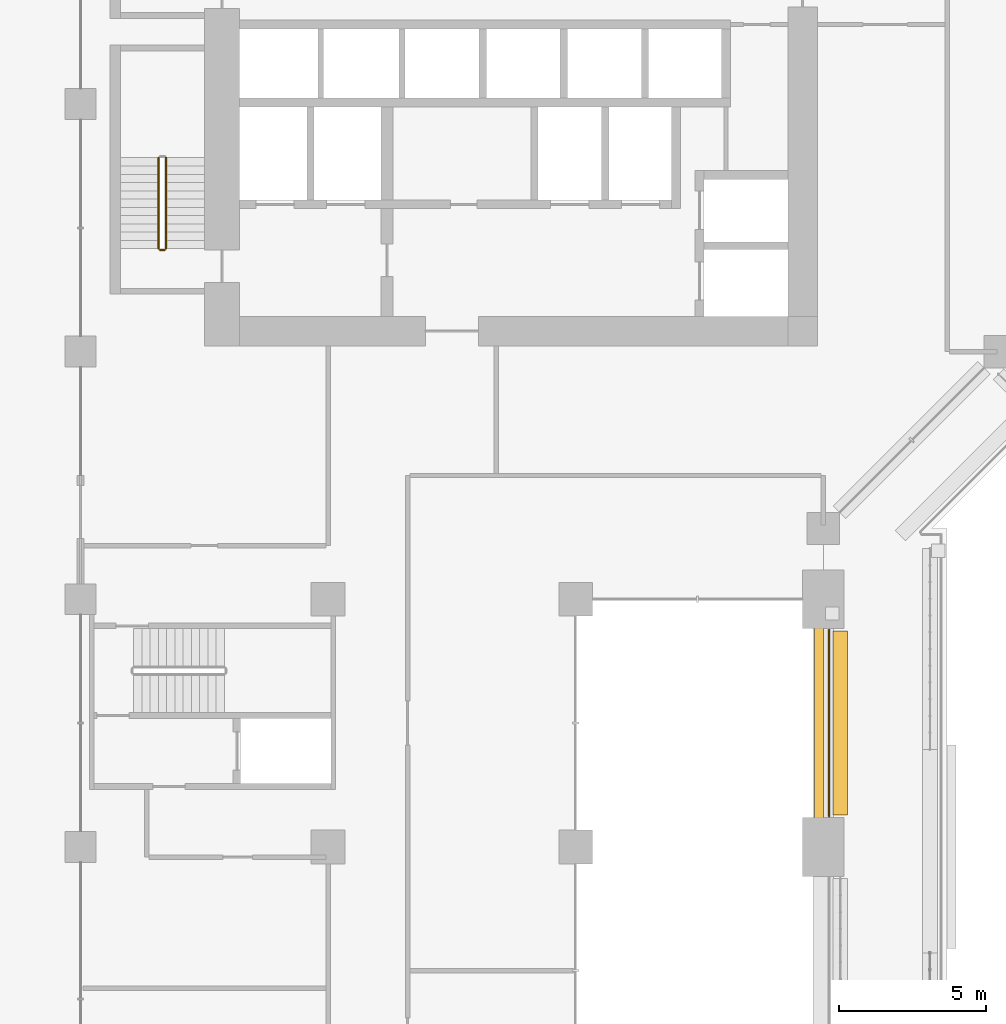
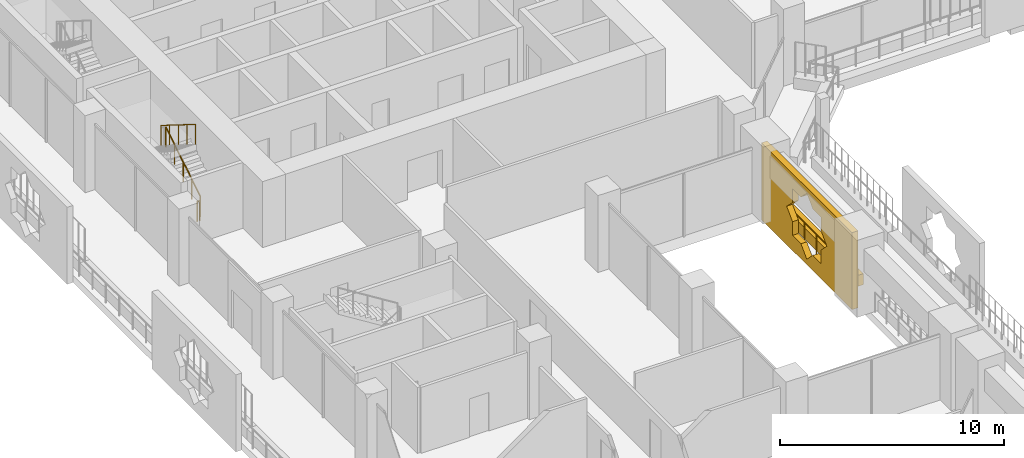
# One storey, part 21 of 27: 4 railings, 2 coverings.
"""IFC4 building model written with IfcOpenShell, lengths in metres."""

import ifcopenshell
import ifcopenshell.guid

model = None  # the IFC model being written
_history = None  # IfcOwnerHistory: only IFC2X3 demands one
_inside = {}  # id of a spatial element -> (the spatial element, [elements in it])
_under = {}  # id of a project, library or spatial element -> (it, [spatial elements below it])
_declared = {}  # id of a project -> (the project, [libraries it declares])
_typed = {}  # id of a type object -> (the type object, [elements of that type])
_made_of = {}  # id of a material, layer set ... -> (it, [elements and type objects made of it])


def new_model(schema):
    """Start an empty IFC model of exactly this schema.

    Asked for "IFC4X3", IfcOpenShell would pick the latest addendum, in which some entities
    have other attributes; the version numbers below select the first issue.
    IFC2X3 requires an IfcOwnerHistory on every rooted entity: one is made here for all.
    """
    global model, _history
    if schema == "IFC4X3":
        model = ifcopenshell.file(schema_version=(4, 3, 0, 0))
    else:
        model = ifcopenshell.file(schema=schema)
    _inside.clear()
    _under.clear()
    _declared.clear()
    _typed.clear()
    _made_of.clear()
    _history = None
    if model.schema == "IFC2X3":
        org = make("IfcOrganization", Name="unknown")
        user = make(
            "IfcPersonAndOrganization",
            ThePerson=make("IfcPerson", FamilyName="unknown"),
            TheOrganization=org,
        )
        app = make(
            "IfcApplication",
            ApplicationDeveloper=org,
            Version="unknown",
            ApplicationFullName="unknown",
            ApplicationIdentifier="unknown",
        )
        _history = make(
            "IfcOwnerHistory",
            OwningUser=user,
            OwningApplication=app,
            ChangeAction="ADDED",
            CreationDate=0,
        )
    return model


def make(cls, **values):
    """One entity of the class cls with the attributes given. An attribute that is None is left unset."""
    return model.create_entity(
        cls, **{name: value for name, value in values.items() if value is not None}
    )


def rooted(cls, **values):
    """An entity with a GlobalId (a new one), such as an element, a storey or a relation."""
    return make(cls, GlobalId=ifcopenshell.guid.new(), OwnerHistory=_history, **values)


def si_unit(unit_type, name, prefix=None):
    """IfcSIUnit, for example si_unit("LENGTHUNIT", "METRE", prefix="MILLI")."""
    return make("IfcSIUnit", UnitType=unit_type, Prefix=prefix, Name=name)


def assignment(units):
    """IfcUnitAssignment: the units of a project."""
    return None if units is None else make("IfcUnitAssignment", Units=units)


def point(xyz):
    """IfcCartesianPoint."""
    return None if xyz is None else make("IfcCartesianPoint", Coordinates=xyz)


def direction(xyz):
    """IfcDirection."""
    return None if xyz is None else make("IfcDirection", DirectionRatios=xyz)


def frame(location, z_axis=None, x_axis=None):
    """IfcAxis2Placement3D, a coordinate frame: its origin and axes. An axis left out is left unset."""
    return make(
        "IfcAxis2Placement3D",
        Location=point(location),
        Axis=direction(z_axis),
        RefDirection=direction(x_axis),
    )


def frame_2d(location, x_axis=None):
    """IfcAxis2Placement2D, a coordinate frame in the plane: its origin and x axis."""
    return make(
        "IfcAxis2Placement2D", Location=point(location), RefDirection=direction(x_axis)
    )


def origin():
    """The frame at (0, 0, 0) with its axes left unset."""
    return frame((0.0, 0.0, 0.0))


def origin_2d():
    """The frame at (0, 0) in the plane with its x axis left unset."""
    return frame_2d((0.0, 0.0))


def place(relative_to, where):
    """IfcLocalPlacement: puts the frame where relative to a parent placement (None: the world)."""
    return make(
        "IfcLocalPlacement", PlacementRelTo=relative_to, RelativePlacement=where
    )


def context(
    kind, dimensions, precision=None, world=None, true_north=None, identifier=None
):
    """IfcGeometricRepresentationContext, for example the 3D "Model" context."""
    return make(
        "IfcGeometricRepresentationContext",
        ContextIdentifier=identifier,
        ContextType=kind,
        CoordinateSpaceDimension=dimensions,
        Precision=precision,
        WorldCoordinateSystem=world,
        TrueNorth=true_north,
    )


def subcontext(parent, identifier, kind, view, scale=None):
    """IfcGeometricRepresentationSubContext, for example "Body" below "Model"."""
    return make(
        "IfcGeometricRepresentationSubContext",
        ContextIdentifier=identifier,
        ContextType=kind,
        ParentContext=parent,
        TargetScale=scale,
        TargetView=view,
    )


def project(units=None, contexts=None):
    """IfcProject with its units and contexts."""
    return rooted(
        "IfcProject",
        Name="project",
        RepresentationContexts=contexts,
        UnitsInContext=assignment(units),
    )


def spatial(cls, under=None, at=None, **own):
    """A site, building, storey or space (cls), placed at a placement, below another one or the project."""
    s = rooted(cls, ObjectPlacement=at, **own)
    if under is not None:
        _under.setdefault(under.id(), (under, []))[1].append(s)
    return s


def polyline(points):
    """IfcPolyline through the points."""
    return make("IfcPolyline", Points=[point(p) for p in points])


def profile(cls, at=None, kind="AREA", **sizes):
    """A parametric profile (cls). Its sizes go by their IFC names, for example OverallWidth=200.0."""
    return make(cls, ProfileType=kind, Position=at, **sizes)


def rectangle(**sizes):
    """IfcRectangleProfileDef."""
    return profile("IfcRectangleProfileDef", **sizes)


def circle(**sizes):
    """IfcCircleProfileDef."""
    return profile("IfcCircleProfileDef", **sizes)


def outline(outer, holes=None, kind="AREA"):
    """IfcArbitraryClosedProfileDef: a profile drawn as a closed curve; with holes, ...WithVoids."""
    if holes is None:
        return make("IfcArbitraryClosedProfileDef", ProfileType=kind, OuterCurve=outer)
    return make(
        "IfcArbitraryProfileDefWithVoids",
        ProfileType=kind,
        OuterCurve=outer,
        InnerCurves=holes,
    )


def extrude(swept, where, along, depth):
    """IfcExtrudedAreaSolid: the profile swept, set in the frame where, extruded along a direction by depth."""
    return make(
        "IfcExtrudedAreaSolid",
        SweptArea=swept,
        Position=where,
        ExtrudedDirection=direction(along),
        Depth=depth,
    )


def shape(context_of_items, identifier, shape_type, items):
    """IfcShapeRepresentation: the items that make up one representation, for example the "Body"."""
    return make(
        "IfcShapeRepresentation",
        ContextOfItems=context_of_items,
        RepresentationIdentifier=identifier,
        RepresentationType=shape_type,
        Items=items,
    )


def material(Name=None, Category=None):
    """IfcMaterial."""
    return make("IfcMaterial", Name=Name, Category=Category)


def material_profile(
    of_material, cross_section, Name=None, Category=None, Priority=None
):
    """IfcMaterialProfile: a cross section and its material."""
    return make(
        "IfcMaterialProfile",
        Name=Name,
        Material=of_material,
        Profile=cross_section,
        Priority=Priority,
        Category=Category,
    )


def profile_set(profiles, Name=None, composite=None):
    """IfcMaterialProfileSet."""
    return make(
        "IfcMaterialProfileSet",
        Name=Name,
        MaterialProfiles=profiles,
        CompositeProfile=composite,
    )


def made_of(thing, what):
    """Note that an element or type object is made of a material, layer set ...; save() writes the relation."""
    if what is not None:
        _made_of.setdefault(what.id(), (what, []))[1].append(thing)
    return thing


def type_object(cls, material=None, **own):
    """A type object (cls), such as IfcWallType, which elements share."""
    return made_of(rooted(cls, **own), material)


def element(
    cls,
    number,
    at=None,
    inside=None,
    cuts=None,
    type_object=None,
    material=None,
    context=None,
    identifier="Body",
    shape_type=None,
    held_by="IfcProductDefinitionShape",
    body=None,
    shapes=None,
    **own,
):
    """One element of the class cls, such as IfcWall. Its Tag is "e" and its number.

    at: its placement. inside: the storey or other place that contains it. cuts: it is an
    opening in that element (IfcRelVoidsElement). A single representation is given by context,
    identifier, shape_type and body (its items); several are given by shapes. held_by: the class
    of the entity that holds the representations. save() writes the other relations.
    """
    e = rooted(cls, Tag="e%d" % number, ObjectPlacement=at, **own)
    if body is not None:
        shapes = [shape(context, identifier, shape_type, body)]
    if shapes is not None:
        e.Representation = make(held_by, Representations=shapes)
    if inside is not None:
        _inside.setdefault(inside.id(), (inside, []))[1].append(e)
    if cuts is not None:
        rooted(
            "IfcRelVoidsElement", RelatingBuildingElement=cuts, RelatedOpeningElement=e
        )
    if type_object is not None:
        _typed.setdefault(type_object.id(), (type_object, []))[1].append(e)
    return made_of(e, material)


def aggregate(whole, parts):
    """IfcRelAggregates: a whole, such as a stair, and the parts it consists of."""
    return rooted("IfcRelAggregates", RelatingObject=whole, RelatedObjects=parts)


def save(model, path):
    """Write the relations noted so far, then the file.

    IfcRelAggregates (storeys below a building ...), IfcRelContainedInSpatialStructure (elements
    in a storey), IfcRelDefinesByType, IfcRelAssociatesMaterial and IfcRelDeclares: one each for
    every whole, place, type object, material and project.
    """
    for whole, parts in _under.values():
        aggregate(whole, parts)
    for where, things in _inside.values():
        rooted(
            "IfcRelContainedInSpatialStructure",
            RelatedElements=things,
            RelatingStructure=where,
        )
    for kind, things in _typed.values():
        rooted("IfcRelDefinesByType", RelatedObjects=things, RelatingType=kind)
    for what, things in _made_of.values():
        rooted("IfcRelAssociatesMaterial", RelatedObjects=things, RelatingMaterial=what)
    for by, libraries in _declared.values():
        rooted("IfcRelDeclares", RelatingContext=by, RelatedDefinitions=libraries)
    model.write(path)


model = new_model("IFC4")

# Units and contexts
model_context = context("Model", 3, precision=1e-05, world=origin(), true_north=direction((0.0, 1.0)))
body_context = subcontext(model_context, "Body", "Model", "MODEL_VIEW")
ifc_project = project(units=[si_unit("LENGTHUNIT", "METRE"), si_unit("AREAUNIT", "SQUARE_METRE"), si_unit("VOLUMEUNIT", "CUBIC_METRE"), si_unit("PLANEANGLEUNIT", "RADIAN"), si_unit("MASSUNIT", "GRAM", prefix="KILO")], contexts=[model_context])

# Site, building, storey
site_placement = place(None, origin())
site = spatial("IfcSite", under=ifc_project, at=site_placement, CompositionType="ELEMENT")
building_placement = place(site_placement, origin())
building = spatial("IfcBuilding", under=site, at=building_placement, Name="Kawkab Arch Medical Tower", CompositionType="ELEMENT")
storey_placement = place(building_placement, frame((0.0, 0.0, 103.0)))
storey = spatial("IfcBuildingStorey", under=building, at=storey_placement, Name="L23", CompositionType="ELEMENT", Elevation=103.0)

# Railing
ifc_material_1 = material(Name="Bronze anodised aluminium guard", Category="aluminium")
railing_type_1 = type_object("IfcRailingType", Name="Loggia and terrace guard 1100", PredefinedType="GUARDRAIL", material=ifc_material_1)
railing_1_placement = place(storey_placement, frame((25.39990234375, -40.969970703125, 0.0)))
element("IfcRailing", 1, at=railing_1_placement, inside=storey, type_object=railing_type_1, Name="Guard L23.LOG-01.1.2", PredefinedType="GUARDRAIL", context=body_context, shape_type="SweptSolid", body=[
    extrude(circle(Radius=0.02392578125, at=origin_2d()), frame((0.0, 0.0, 1.076171875), z_axis=(0.0, 1.0, 0.0), x_axis=(-1.0, 0.0, 0.0)), (0.0, 0.0, 1.0), 6.340087890625),
    extrude(circle(Radius=0.02099609375, at=origin_2d()), origin(), (0.0, 0.0, 1.0), 1.052001953125),
    extrude(circle(Radius=0.02099609375, at=origin_2d()), frame((0.0, 1.056640625, 0.0)), (0.0, 0.0, 1.0), 1.052001953125),
    extrude(circle(Radius=0.02099609375, at=origin_2d()), frame((0.0, 2.11328125, 0.0)), (0.0, 0.0, 1.0), 1.052001953125),
    extrude(circle(Radius=0.02099609375, at=origin_2d()), frame((0.0, 3.169921875, 0.0)), (0.0, 0.0, 1.0), 1.052001953125),
    extrude(circle(Radius=0.02099609375, at=origin_2d()), frame((0.0, 4.226806640625, 0.0)), (0.0, 0.0, 1.0), 1.052001953125),
    extrude(circle(Radius=0.02099609375, at=origin_2d()), frame((0.0, 5.283447265625, 0.0)), (0.0, 0.0, 1.0), 1.052001953125),
    extrude(circle(Radius=0.02099609375, at=origin_2d()), frame((0.0, 6.340087890625, 0.0)), (0.0, 0.0, 1.0), 1.052001953125),
])

# Coverings
ifc_material_2 = material(Name="Bronze anodised aluminium mashrabiya panel, eight-point star pattern", Category="aluminium")
ifc_material_profile_1 = material_profile(ifc_material_2, outline(polyline([(-4.050048828125, -2.10009765625), (4.050048828125, -2.10009765625), (4.050048828125, 2.10009765625), (-4.050048828125, 2.10009765625), (-4.050048828125, -2.10009765625)]), holes=[polyline([(1.800048828125, 0.0), (1.272705078125, 0.527099609375), (1.272705078125, 1.272705078125), (0.527099609375, 1.272705078125), (0.0, 1.800048828125), (-0.527099609375, 1.272705078125), (-1.272705078125, 1.272705078125), (-1.272705078125, 0.527099609375), (-1.800048828125, 0.0), (-1.272705078125, -0.527099609375), (-1.272705078125, -1.272705078125), (-0.527099609375, -1.272705078125), (0.0, -1.800048828125), (0.527099609375, -1.272705078125), (1.272705078125, -1.272705078125), (1.272705078125, -0.527099609375), (1.800048828125, 0.0)])]), Name="Mashrabiya panel 8100x4200")
ifc_profile_set_1 = profile_set([ifc_material_profile_1], Name="Bronze anodised aluminium mashrabiya panel, eight-point star pattern")
covering_type_1 = type_object("IfcCoveringType", Name="Mashrabiya panel 8100 x 4200", PredefinedType="USERDEFINED", material=ifc_profile_set_1)
covering_1_placement = place(storey_placement, frame((25.199951171875, -37.81494140625, 1.699951171875), z_axis=(-1.0, 0.0, 0.0), x_axis=(0.0, -1.0, 0.0)))
element("IfcCovering", 2, at=covering_1_placement, inside=storey, type_object=covering_type_1, Name="Mashrabiya panel L23.LOG-01-01.1", ObjectType="SCREEN", PredefinedType="USERDEFINED", context=body_context, shape_type="SweptSolid", body=[
    extrude(outline(polyline([(-4.050048828125, -2.10009765625), (4.050048828125, -2.10009765625), (4.050048828125, 2.10009765625), (-4.050048828125, 2.10009765625), (-4.050048828125, -2.10009765625)]), holes=[polyline([(1.800048828125, 0.0), (1.272705078125, 0.527099609375), (1.272705078125, 1.272705078125), (0.527099609375, 1.272705078125), (0.0, 1.800048828125), (-0.527099609375, 1.272705078125), (-1.272705078125, 1.272705078125), (-1.272705078125, 0.527099609375), (-1.800048828125, 0.0), (-1.272705078125, -0.527099609375), (-1.272705078125, -1.272705078125), (-0.527099609375, -1.272705078125), (0.0, -1.800048828125), (0.527099609375, -1.272705078125), (1.272705078125, -1.272705078125), (1.272705078125, -0.527099609375), (1.800048828125, 0.0)])]), origin(), (0.0, 0.0, 1.0), 0.300048828125),
])
ifc_material_3 = material(Name="Planting soil in a precast trough", Category="concrete")
ifc_material_profile_2 = material_profile(ifc_material_3, rectangle(XDim=0.5, YDim=0.60009765625, at=origin_2d()), Name="Trough 500x600")
ifc_profile_set_2 = profile_set([ifc_material_profile_2], Name="Planting soil in a precast trough")
covering_type_2 = type_object("IfcCoveringType", Name="Planter trough 500 x 600", PredefinedType="USERDEFINED", material=ifc_profile_set_2)
covering_2_placement = place(storey_placement, frame((25.780029296875, -40.919921875, 0.300048828125), z_axis=(0.0, 1.0, 0.0), x_axis=(-1.0, 0.0, 0.0)))
element("IfcCovering", 3, at=covering_2_placement, inside=storey, type_object=covering_type_2, Name="Planter L23.LOG-01-01.2", ObjectType="PLANTER", PredefinedType="USERDEFINED", context=body_context, shape_type="SweptSolid", body=[
    extrude(rectangle(XDim=0.5, YDim=0.60009765625, at=origin_2d()), origin(), (0.0, 0.0, 1.0), 6.239990234375),
])

# Railings
ifc_material_4 = material(Name="Stainless steel", Category="steel")
railing_type_2 = type_object("IfcRailingType", Name="Stair guard 1100", PredefinedType="GUARDRAIL", material=ifc_material_4)
railing_2_placement = place(storey_placement, frame((2.89990234375, -21.699951171875, 0.175048828125)))
element("IfcRailing", 4, at=railing_2_placement, inside=storey, type_object=railing_type_2, Name="L23 ST2 stair guard 1", PredefinedType="GUARDRAIL", context=body_context, shape_type="SweptSolid", body=[
    extrude(circle(Radius=0.02392578125, at=origin_2d()), frame((0.0, 0.0, 1.076171875), z_axis=(0.0, 0.847979421464, 0.530029150871), x_axis=(-1.0, 0.0, 0.0)), (0.0, 0.0, 1.0), 3.632080078125),
    extrude(circle(Radius=0.02099609375, at=origin_2d()), origin(), (0.0, 0.0, 1.0), 1.052001953125),
    extrude(circle(Radius=0.02099609375, at=origin_2d()), frame((0.0, 0.77001953125, 0.481201171875)), (0.0, 0.0, 1.0), 1.052001953125),
    extrude(circle(Radius=0.02099609375, at=origin_2d()), frame((0.0, 1.5400390625, 0.96240234375)), (0.0, 0.0, 1.0), 1.052001953125),
    extrude(circle(Radius=0.02099609375, at=origin_2d()), frame((0.0, 2.309814453125, 1.44384765625)), (0.0, 0.0, 1.0), 1.052001953125),
    extrude(circle(Radius=0.02099609375, at=origin_2d()), frame((0.0, 3.079833984375, 1.925048828125)), (0.0, 0.0, 1.0), 1.052001953125),
])
railing_3_placement = place(storey_placement, frame((2.64990234375, -18.6201171875, 2.27490234375)))
element("IfcRailing", 5, at=railing_3_placement, inside=storey, type_object=railing_type_2, Name="L23 ST2 stair guard 3", PredefinedType="GUARDRAIL", context=body_context, shape_type="SweptSolid", body=[
    extrude(circle(Radius=0.02392578125, at=origin_2d()), frame((0.0, 0.0, 1.076171875), z_axis=(0.0, -0.847979421464, 0.530029150871), x_axis=(1.0, 0.0, 0.0)), (0.0, 0.0, 1.0), 3.632080078125),
    extrude(circle(Radius=0.02099609375, at=origin_2d()), origin(), (0.0, 0.0, 1.0), 1.052001953125),
    extrude(circle(Radius=0.02099609375, at=origin_2d()), frame((0.0, -0.77001953125, 0.481201171875)), (0.0, 0.0, 1.0), 1.052001953125),
    extrude(circle(Radius=0.02099609375, at=origin_2d()), frame((0.0, -1.5400390625, 0.96240234375)), (0.0, 0.0, 1.0), 1.052001953125),
    extrude(circle(Radius=0.02099609375, at=origin_2d()), frame((0.0, -2.309814453125, 1.44384765625)), (0.0, 0.0, 1.0), 1.052001953125),
    extrude(circle(Radius=0.02099609375, at=origin_2d()), frame((0.0, -3.079833984375, 1.925048828125)), (0.0, 0.0, 1.0), 1.052001953125),
])
railing_4_placement = place(storey_placement, frame((2.85009765625, -21.75, 0.0)))
element("IfcRailing", 6, at=railing_4_placement, inside=storey, type_object=railing_type_2, Name="L23 ST2 stair guard 4", PredefinedType="GUARDRAIL", context=body_context, shape_type="SweptSolid", body=[
    extrude(circle(Radius=0.02392578125, at=origin_2d()), frame((0.0, 0.0, 1.076171875), z_axis=(-1.0, 0.0, 0.0), x_axis=(0.0, -1.0, 0.0)), (0.0, 0.0, 1.0), 0.150146484375),
    extrude(circle(Radius=0.02099609375, at=origin_2d()), origin(), (0.0, 0.0, 1.0), 1.052001953125),
    extrude(circle(Radius=0.02099609375, at=origin_2d()), frame((-0.150146484375, 0.0, 0.0)), (0.0, 0.0, 1.0), 1.052001953125),
])

save(model, "model.ifc")
